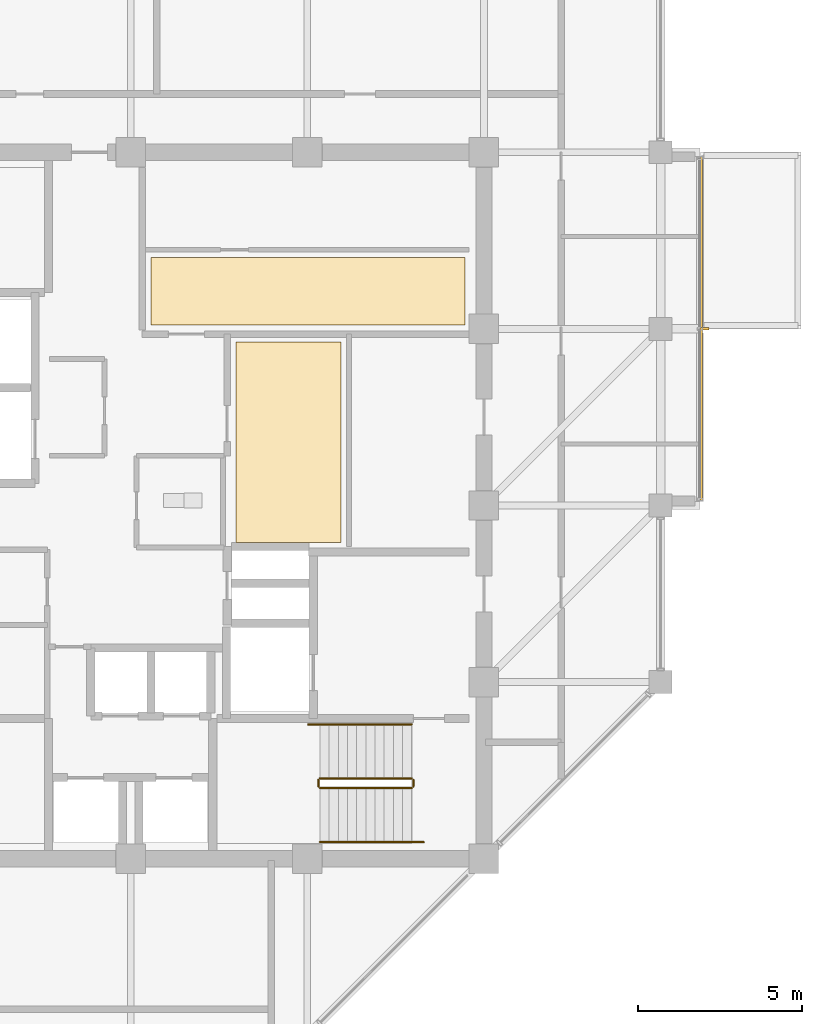
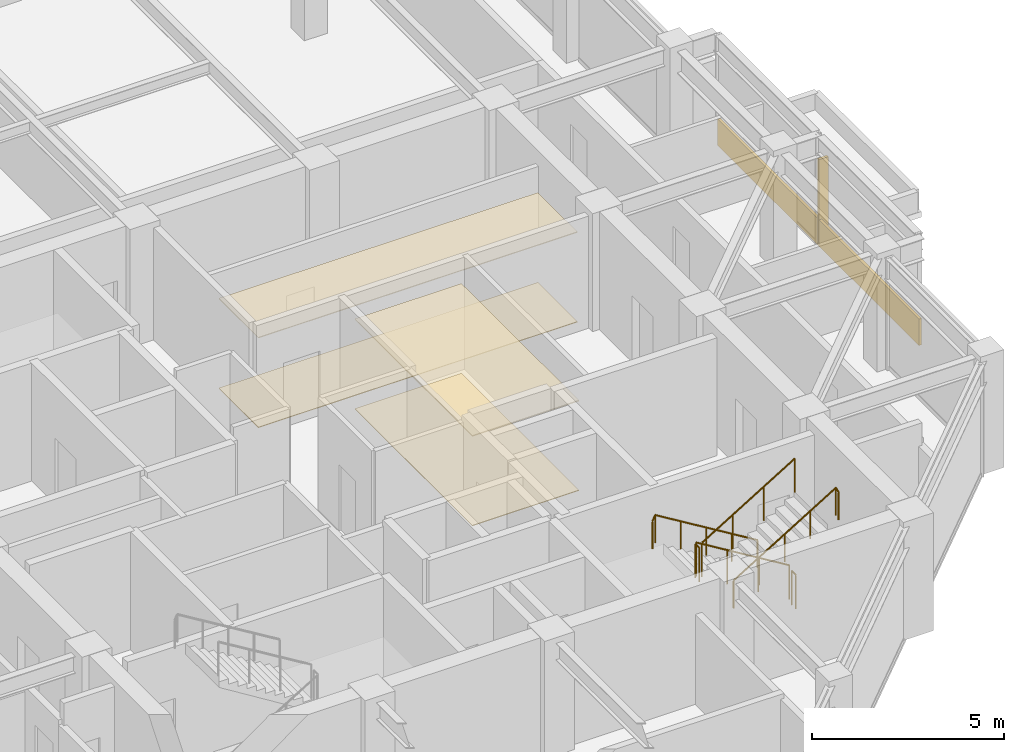
# One storey, part 30 of 31: 6 railings, 5 coverings, 1 shading device.
"""IFC4 building model written with IfcOpenShell, lengths in metres."""

from ifc_helpers import new_model, si_unit, direction, frame, origin, origin_2d, place, context, subcontext, project, spatial, polyline, rectangle, circle, outline, extrude, material, layer, layer_set, type_object, element, save


model = new_model("IFC4")

# Units and contexts
model_context = context("Model", 3, precision=1e-05, world=origin(), true_north=direction((0.0, 1.0)))
body_context = subcontext(model_context, "Body", "Model", "MODEL_VIEW")
ifc_project = project(units=[si_unit("LENGTHUNIT", "METRE"), si_unit("AREAUNIT", "SQUARE_METRE"), si_unit("VOLUMEUNIT", "CUBIC_METRE"), si_unit("PLANEANGLEUNIT", "RADIAN"), si_unit("MASSUNIT", "GRAM", prefix="KILO")], contexts=[model_context])

# Site, building, storey
site_placement = place(None, origin())
site = spatial("IfcSite", under=ifc_project, at=site_placement, CompositionType="ELEMENT")
building_placement = place(site_placement, origin())
building = spatial("IfcBuilding", under=site, at=building_placement, Name="Surkhivell Harbour Commons", CompositionType="ELEMENT")
storey_placement = place(building_placement, frame((0.0, 0.0, 270.0)))
storey = spatial("IfcBuildingStorey", under=building, at=storey_placement, Name="L70", CompositionType="ELEMENT", Elevation=270.0)

# Coverings
ifc_material_1 = material(Name="Perforated acoustic mineral-fibre ceiling tile", Category="other")
ifc_layer_1 = layer(ifc_material_1, 0.02490234375)
ifc_layer_set_1 = layer_set([ifc_layer_1], Name="Perforated acoustic mineral-fibre ceiling tile")
covering_type_1 = type_object("IfcCoveringType", Name="COV-CEIL-AC", PredefinedType="CEILING", material=ifc_layer_set_1)
covering_1_placement = place(storey_placement, frame((0.0, 0.0, 2.85205078125)))
element("IfcCovering", 1, at=covering_1_placement, inside=storey, type_object=covering_type_1, Name="L70 Suspended Acoustic Ceiling 1", PredefinedType="CEILING", context=body_context, shape_type="SweptSolid", body=[
    extrude(outline(polyline([(0.6201171875, 5.52001953125), (10.219970703125, 5.52001953125), (10.219970703125, 7.580078125), (0.6201171875, 7.580078125), (0.6201171875, 5.52001953125)])), origin(), (0.0, 0.0, 1.0), 0.02490234375),
])
ifc_material_2 = material(Name="Moisture-resistant gypsum acoustic ceiling board", Category="other")
ifc_layer_2 = layer(ifc_material_2, 0.030029296875)
ifc_layer_set_2 = layer_set([ifc_layer_2], Name="Moisture-resistant gypsum acoustic ceiling board")
covering_type_2 = type_object("IfcCoveringType", Name="COV-CEIL-GYP", PredefinedType="CEILING", material=ifc_layer_set_2)
covering_2_placement = place(storey_placement, frame((0.0, 0.0, 2.846923828125)))
element("IfcCovering", 2, at=covering_2_placement, inside=storey, type_object=covering_type_2, Name="L70 Suspended Acoustic Ceiling 2", PredefinedType="CEILING", context=body_context, shape_type="SweptSolid", body=[
    extrude(outline(polyline([(3.219970703125, -1.1298828125), (6.429931640625, -1.1298828125), (6.429931640625, 5.0), (3.219970703125, 5.0), (3.219970703125, -1.1298828125)])), origin(), (0.0, 0.0, 1.0), 0.030029296875),
])
ifc_material_3 = material(Name="Cobalt-azure enamelled aluminium cassette panel", Category="aluminium")
ifc_layer_3 = layer(ifc_material_3, 0.072021484375)
ifc_layer_set_3 = layer_set([ifc_layer_3], Name="Cobalt-azure enamelled aluminium cassette panel")
covering_type_3 = type_object("IfcCoveringType", Name="COV-CLAD-COB", PredefinedType="CLADDING", material=ifc_layer_set_3)
covering_3_placement = place(storey_placement, frame((17.43994140625, 5.39990234375, 0.0), z_axis=(0.0, 0.0, 1.0), x_axis=(1.0, 0.0, 0.0)))
element("IfcCovering", 3, at=covering_3_placement, inside=storey, type_object=covering_type_3, Name="L70 Coloured-Panel Box Spandrel Cassette 01", PredefinedType="CLADDING", context=body_context, shape_type="SweptSolid", body=[
    extrude(rectangle(XDim=0.080078125, YDim=10.5, at=origin_2d()), origin(), (0.0, 0.0, 1.0), 0.840087890625),
])
ifc_material_4 = material(Name="Engineered acoustic oak timber flooring", Category="wood")
ifc_layer_4 = layer(ifc_material_4, 0.02001953125)
ifc_layer_set_4 = layer_set([ifc_layer_4], Name="Engineered acoustic oak timber flooring")
covering_type_4 = type_object("IfcCoveringType", Name="COV-FLR-TIM", PredefinedType="FLOORING", material=ifc_layer_set_4)
covering_4_placement = place(storey_placement, origin())
element("IfcCovering", 4, at=covering_4_placement, inside=storey, type_object=covering_type_4, Name="L70 Interior Floor Finish 1", PredefinedType="FLOORING", context=body_context, shape_type="SweptSolid", body=[
    extrude(outline(polyline([(0.6201171875, 5.52001953125), (10.219970703125, 5.52001953125), (10.219970703125, 7.580078125), (0.6201171875, 7.580078125), (0.6201171875, 5.52001953125)])), origin(), (0.0, 0.0, 1.0), 0.02001953125),
])
covering_5_placement = place(storey_placement, origin())
element("IfcCovering", 5, at=covering_5_placement, inside=storey, type_object=covering_type_4, Name="L70 Interior Floor Finish 2", PredefinedType="FLOORING", context=body_context, shape_type="SweptSolid", body=[
    extrude(outline(polyline([(3.219970703125, -1.1298828125), (6.429931640625, -1.1298828125), (6.429931640625, 5.0), (3.219970703125, 5.0), (3.219970703125, -1.1298828125)])), origin(), (0.0, 0.0, 1.0), 0.02001953125),
])

# Railings
ifc_material_5 = material(Name="Galvanised and painted steel S355 guard rail", Category="steel")
railing_type_1 = type_object("IfcRailingType", Name="RAL-ST-GRD1100", PredefinedType="GUARDRAIL", material=ifc_material_5)
railing_1_placement = place(storey_placement, frame((8.590087890625, -8.340087890625, 0.17041015625)))
element("IfcRailing", 6, at=railing_1_placement, inside=storey, type_object=railing_type_1, Name="L70 ST2 stair guard 1", PredefinedType="GUARDRAIL", context=body_context, shape_type="SweptSolid", body=[
    extrude(circle(Radius=0.02392578125, at=origin_2d()), frame((0.0, 0.0, 1.076171875), z_axis=(-0.854169791009, 0.0, 0.51999420009), x_axis=(0.0, -1.0, 0.0)), (0.0, 0.0, 1.0), 3.278076171875),
    extrude(circle(Radius=0.02099609375, at=origin_2d()), origin(), (0.0, 0.0, 1.0), 1.052001953125),
    extrude(circle(Radius=0.02099609375, at=origin_2d()), frame((-0.933349609375, 0.0, 0.568115234375)), (0.0, 0.0, 1.0), 1.052001953125),
    extrude(circle(Radius=0.02099609375, at=origin_2d()), frame((-1.86669921875, 0.0, 1.136474609375)), (0.0, 0.0, 1.0), 1.052001953125),
    extrude(circle(Radius=0.02099609375, at=origin_2d()), frame((-2.800048828125, 0.0, 1.70458984375)), (0.0, 0.0, 1.0), 1.052001953125),
])
railing_2_placement = place(storey_placement, frame((5.739990234375, -8.389892578125, 1.875)))
element("IfcRailing", 7, at=railing_2_placement, inside=storey, type_object=railing_type_1, Name="L70 ST2 stair guard 2", PredefinedType="GUARDRAIL", context=body_context, shape_type="SweptSolid", body=[
    extrude(circle(Radius=0.02392578125, at=origin_2d()), frame((0.0, 0.0, 1.076171875), z_axis=(0.0, -1.0, 0.0), x_axis=(1.0, 0.0, 0.0)), (0.0, 0.0, 1.0), 0.2001953125),
    extrude(circle(Radius=0.02099609375, at=origin_2d()), origin(), (0.0, 0.0, 1.0), 1.052001953125),
    extrude(circle(Radius=0.02099609375, at=origin_2d()), frame((0.0, -0.2001953125, 0.0)), (0.0, 0.0, 1.0), 1.052001953125),
])
railing_3_placement = place(storey_placement, frame((5.7900390625, -8.639892578125, 2.04541015625)))
element("IfcRailing", 8, at=railing_3_placement, inside=storey, type_object=railing_type_1, Name="L70 ST2 stair guard 3", PredefinedType="GUARDRAIL", context=body_context, shape_type="SweptSolid", body=[
    extrude(circle(Radius=0.02392578125, at=origin_2d()), frame((0.0, 0.0, 1.076171875), z_axis=(0.854169791009, 0.0, 0.51999420009), x_axis=(0.0, 1.0, 0.0)), (0.0, 0.0, 1.0), 3.278076171875),
    extrude(circle(Radius=0.02099609375, at=origin_2d()), origin(), (0.0, 0.0, 1.0), 1.052001953125),
    extrude(circle(Radius=0.02099609375, at=origin_2d()), frame((0.933349609375, 0.0, 0.568115234375)), (0.0, 0.0, 1.0), 1.052001953125),
    extrude(circle(Radius=0.02099609375, at=origin_2d()), frame((1.86669921875, 0.0, 1.136474609375)), (0.0, 0.0, 1.0), 1.052001953125),
    extrude(circle(Radius=0.02099609375, at=origin_2d()), frame((2.800048828125, 0.0, 1.70458984375)), (0.0, 0.0, 1.0), 1.052001953125),
])
railing_4_placement = place(storey_placement, frame((8.639892578125, -8.389892578125, 0.0)))
element("IfcRailing", 9, at=railing_4_placement, inside=storey, type_object=railing_type_1, Name="L70 ST2 stair guard 4", PredefinedType="GUARDRAIL", context=body_context, shape_type="SweptSolid", body=[
    extrude(circle(Radius=0.02392578125, at=origin_2d()), frame((0.0, 0.0, 1.076171875), z_axis=(0.0, -1.0, 0.0), x_axis=(1.0, 0.0, 0.0)), (0.0, 0.0, 1.0), 0.2001953125),
    extrude(circle(Radius=0.02099609375, at=origin_2d()), origin(), (0.0, 0.0, 1.0), 1.052001953125),
    extrude(circle(Radius=0.02099609375, at=origin_2d()), frame((0.0, -0.2001953125, 0.0)), (0.0, 0.0, 1.0), 1.052001953125),
])
ifc_material_6 = material(Name="Brushed stainless steel S355 handrail", Category="steel")
railing_type_2 = type_object("IfcRailingType", Name="RAL-ST-HND900", PredefinedType="HANDRAIL", material=ifc_material_6)
railing_5_placement = place(storey_placement, frame((8.590087890625, -6.68994140625, 0.17041015625)))
element("IfcRailing", 10, at=railing_5_placement, inside=storey, type_object=railing_type_2, Name="L70 ST2 stair handrail 1", PredefinedType="HANDRAIL", context=body_context, shape_type="SweptSolid", body=[
    extrude(circle(Radius=0.02392578125, at=origin_2d()), frame((0.0, 0.0, 0.8759765625), z_axis=(-0.854177636135, 0.0, 0.519981313056), x_axis=(0.0, -1.0, 0.0)), (0.0, 0.0, 1.0), 3.60595703125),
    extrude(circle(Radius=0.02392578125, at=origin_2d()), frame((-3.080078125, 0.0, 2.7509765625), z_axis=(-0.425297416671, 0.0, -0.905053648892), x_axis=(0.0, -1.0, 0.0)), (0.0, 0.0, 1.0), 0.188232421875),
    extrude(circle(Radius=0.02099609375, at=origin_2d()), origin(), (0.0, 0.0, 1.0), 0.851806640625),
    extrude(circle(Radius=0.02099609375, at=origin_2d()), frame((-0.77001953125, 0.0, 0.46875)), (0.0, 0.0, 1.0), 0.851806640625),
    extrude(circle(Radius=0.02099609375, at=origin_2d()), frame((-1.5400390625, 0.0, 0.9375)), (0.0, 0.0, 1.0), 0.851806640625),
    extrude(circle(Radius=0.02099609375, at=origin_2d()), frame((-2.31005859375, 0.0, 1.40625)), (0.0, 0.0, 1.0), 0.851806640625),
    extrude(circle(Radius=0.02099609375, at=origin_2d()), frame((-3.080078125, 0.0, 1.875)), (0.0, 0.0, 1.0), 0.851806640625),
    extrude(circle(Radius=0.02099609375, at=origin_2d()), frame((-3.16015625, 0.0, 1.70458984375)), (0.0, 0.0, 1.0), 0.851806640625),
])
railing_6_placement = place(storey_placement, frame((5.7900390625, -10.2900390625, 2.04541015625)))
element("IfcRailing", 11, at=railing_6_placement, inside=storey, type_object=railing_type_2, Name="L70 ST2 stair handrail 2", PredefinedType="HANDRAIL", context=body_context, shape_type="SweptSolid", body=[
    extrude(circle(Radius=0.02392578125, at=origin_2d()), frame((0.0, 0.0, 0.8759765625), z_axis=(0.854177636135, 0.0, 0.519981313056), x_axis=(0.0, 1.0, 0.0)), (0.0, 0.0, 1.0), 3.60595703125),
    extrude(circle(Radius=0.02392578125, at=origin_2d()), frame((3.080078125, 0.0, 2.7509765625), z_axis=(0.424234432967, 0.0, -0.905552398199), x_axis=(0.0, 1.0, 0.0)), (0.0, 0.0, 1.0), 0.188232421875),
    extrude(circle(Radius=0.02099609375, at=origin_2d()), origin(), (0.0, 0.0, 1.0), 0.851806640625),
    extrude(circle(Radius=0.02099609375, at=origin_2d()), frame((0.77001953125, 0.0, 0.46875)), (0.0, 0.0, 1.0), 0.851806640625),
    extrude(circle(Radius=0.02099609375, at=origin_2d()), frame((1.5400390625, 0.0, 0.9375)), (0.0, 0.0, 1.0), 0.851806640625),
    extrude(circle(Radius=0.02099609375, at=origin_2d()), frame((2.31005859375, 0.0, 1.40625)), (0.0, 0.0, 1.0), 0.851806640625),
    extrude(circle(Radius=0.02099609375, at=origin_2d()), frame((3.080078125, 0.0, 1.875)), (0.0, 0.0, 1.0), 0.851806640625),
    extrude(circle(Radius=0.02099609375, at=origin_2d()), frame((3.159912109375, 0.0, 1.70458984375)), (0.0, 0.0, 1.0), 0.851806640625),
])

# Shading device
ifc_material_7 = material(Name="Champagne anodised aluminium solar fin", Category="aluminium")
shading_device_type = type_object("IfcShadingDeviceType", Name="SHD-FIN-SLIM", PredefinedType="USERDEFINED", material=ifc_material_7)
shading_device_placement = place(storey_placement, frame((17.5400390625, 5.39990234375, 0.0048828125), z_axis=(0.0, 0.0, 1.0), x_axis=(1.0, 0.0, 0.0)))
element("IfcShadingDevice", 12, at=shading_device_placement, inside=storey, type_object=shading_device_type, Name="L70 Coloured-Box Solar Fin 01", ObjectType="FIN", PredefinedType="USERDEFINED", context=body_context, shape_type="SweptSolid", body=[
    extrude(rectangle(XDim=0.280029296875, YDim=0.080078125, at=origin_2d()), origin(), (0.0, 0.0, 1.0), 2.75),
])

save(model, "model.ifc")
